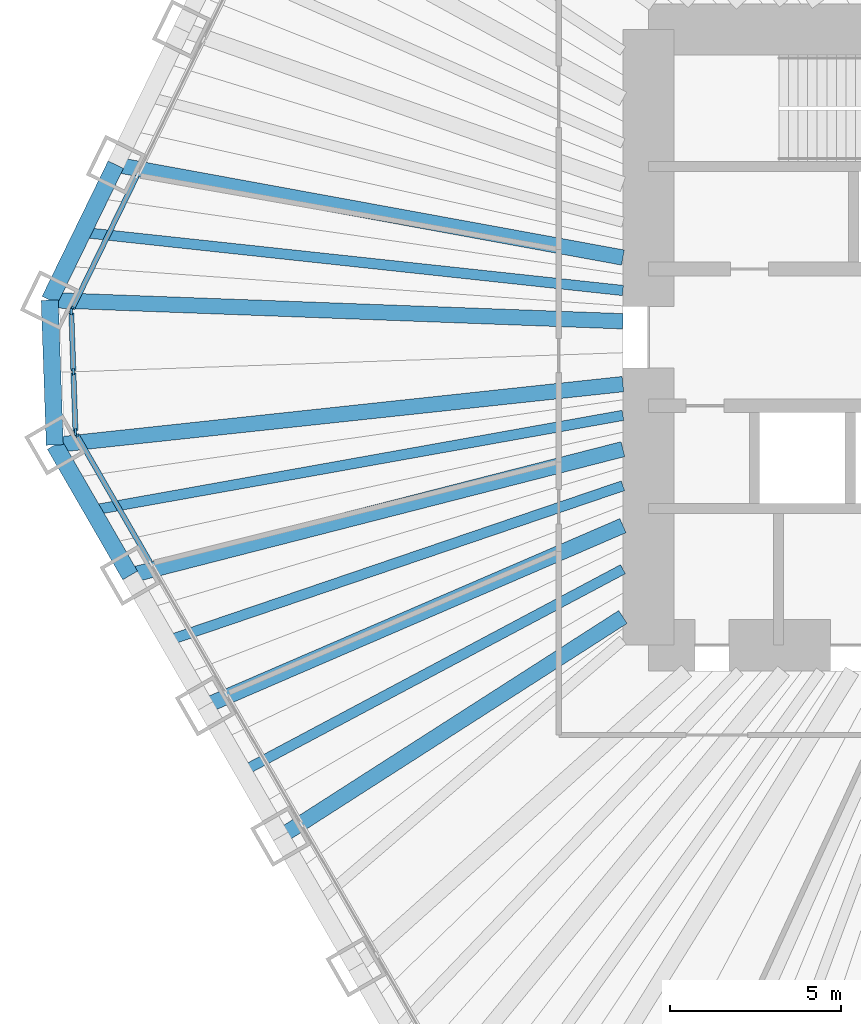
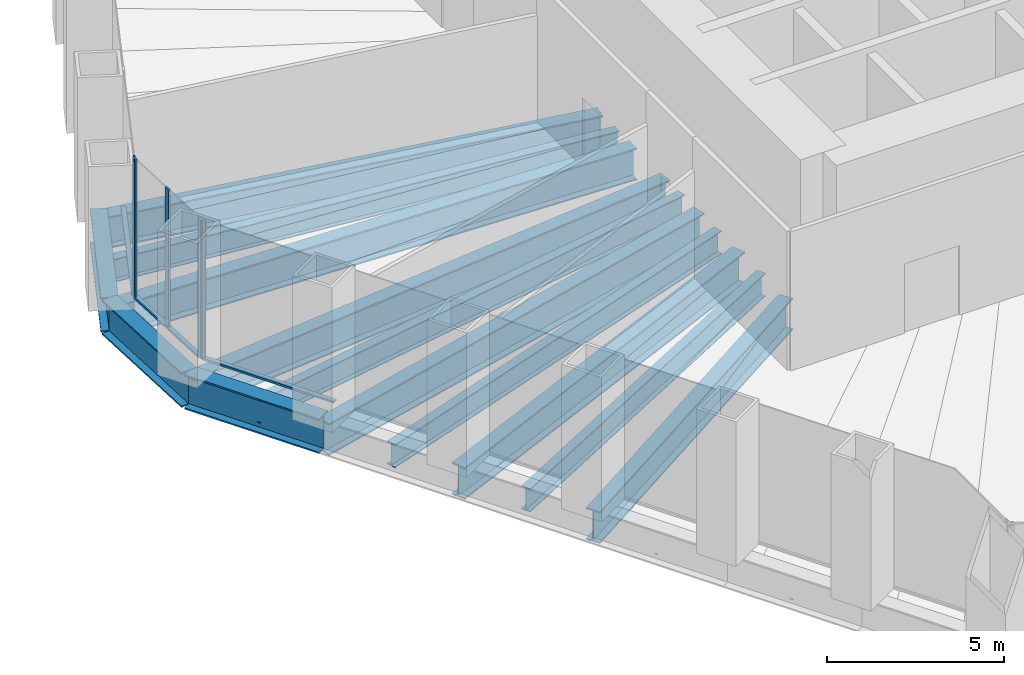
# One storey, part 3 of 13: 13 beams, 9 members, 3 elements without a shape of their own.
"""IFC4 building model written with IfcOpenShell, lengths in metres."""

import ifcopenshell
import ifcopenshell.guid

model = None  # the IFC model being written
_history = None  # IfcOwnerHistory: only IFC2X3 demands one
_inside = {}  # id of a spatial element -> (the spatial element, [elements in it])
_under = {}  # id of a project, library or spatial element -> (it, [spatial elements below it])
_declared = {}  # id of a project -> (the project, [libraries it declares])
_typed = {}  # id of a type object -> (the type object, [elements of that type])
_made_of = {}  # id of a material, layer set ... -> (it, [elements and type objects made of it])


def new_model(schema):
    """Start an empty IFC model of exactly this schema.

    Asked for "IFC4X3", IfcOpenShell would pick the latest addendum, in which some entities
    have other attributes; the version numbers below select the first issue.
    IFC2X3 requires an IfcOwnerHistory on every rooted entity: one is made here for all.
    """
    global model, _history
    if schema == "IFC4X3":
        model = ifcopenshell.file(schema_version=(4, 3, 0, 0))
    else:
        model = ifcopenshell.file(schema=schema)
    _inside.clear()
    _under.clear()
    _declared.clear()
    _typed.clear()
    _made_of.clear()
    _history = None
    if model.schema == "IFC2X3":
        org = make("IfcOrganization", Name="unknown")
        user = make(
            "IfcPersonAndOrganization",
            ThePerson=make("IfcPerson", FamilyName="unknown"),
            TheOrganization=org,
        )
        app = make(
            "IfcApplication",
            ApplicationDeveloper=org,
            Version="unknown",
            ApplicationFullName="unknown",
            ApplicationIdentifier="unknown",
        )
        _history = make(
            "IfcOwnerHistory",
            OwningUser=user,
            OwningApplication=app,
            ChangeAction="ADDED",
            CreationDate=0,
        )
    return model


def make(cls, **values):
    """One entity of the class cls with the attributes given. An attribute that is None is left unset."""
    return model.create_entity(
        cls, **{name: value for name, value in values.items() if value is not None}
    )


def rooted(cls, **values):
    """An entity with a GlobalId (a new one), such as an element, a storey or a relation."""
    return make(cls, GlobalId=ifcopenshell.guid.new(), OwnerHistory=_history, **values)


def si_unit(unit_type, name, prefix=None):
    """IfcSIUnit, for example si_unit("LENGTHUNIT", "METRE", prefix="MILLI")."""
    return make("IfcSIUnit", UnitType=unit_type, Prefix=prefix, Name=name)


def assignment(units):
    """IfcUnitAssignment: the units of a project."""
    return None if units is None else make("IfcUnitAssignment", Units=units)


def point(xyz):
    """IfcCartesianPoint."""
    return None if xyz is None else make("IfcCartesianPoint", Coordinates=xyz)


def direction(xyz):
    """IfcDirection."""
    return None if xyz is None else make("IfcDirection", DirectionRatios=xyz)


def frame(location, z_axis=None, x_axis=None):
    """IfcAxis2Placement3D, a coordinate frame: its origin and axes. An axis left out is left unset."""
    return make(
        "IfcAxis2Placement3D",
        Location=point(location),
        Axis=direction(z_axis),
        RefDirection=direction(x_axis),
    )


def frame_2d(location, x_axis=None):
    """IfcAxis2Placement2D, a coordinate frame in the plane: its origin and x axis."""
    return make(
        "IfcAxis2Placement2D", Location=point(location), RefDirection=direction(x_axis)
    )


def origin():
    """The frame at (0, 0, 0) with its axes left unset."""
    return frame((0.0, 0.0, 0.0))


def origin_2d():
    """The frame at (0, 0) in the plane with its x axis left unset."""
    return frame_2d((0.0, 0.0))


def place(relative_to, where):
    """IfcLocalPlacement: puts the frame where relative to a parent placement (None: the world)."""
    return make(
        "IfcLocalPlacement", PlacementRelTo=relative_to, RelativePlacement=where
    )


def context(
    kind, dimensions, precision=None, world=None, true_north=None, identifier=None
):
    """IfcGeometricRepresentationContext, for example the 3D "Model" context."""
    return make(
        "IfcGeometricRepresentationContext",
        ContextIdentifier=identifier,
        ContextType=kind,
        CoordinateSpaceDimension=dimensions,
        Precision=precision,
        WorldCoordinateSystem=world,
        TrueNorth=true_north,
    )


def subcontext(parent, identifier, kind, view, scale=None):
    """IfcGeometricRepresentationSubContext, for example "Body" below "Model"."""
    return make(
        "IfcGeometricRepresentationSubContext",
        ContextIdentifier=identifier,
        ContextType=kind,
        ParentContext=parent,
        TargetScale=scale,
        TargetView=view,
    )


def project(units=None, contexts=None):
    """IfcProject with its units and contexts."""
    return rooted(
        "IfcProject",
        Name="project",
        RepresentationContexts=contexts,
        UnitsInContext=assignment(units),
    )


def spatial(cls, under=None, at=None, **own):
    """A site, building, storey or space (cls), placed at a placement, below another one or the project."""
    s = rooted(cls, ObjectPlacement=at, **own)
    if under is not None:
        _under.setdefault(under.id(), (under, []))[1].append(s)
    return s


def profile(cls, at=None, kind="AREA", **sizes):
    """A parametric profile (cls). Its sizes go by their IFC names, for example OverallWidth=200.0."""
    return make(cls, ProfileType=kind, Position=at, **sizes)


def rectangle(**sizes):
    """IfcRectangleProfileDef."""
    return profile("IfcRectangleProfileDef", **sizes)


def i_section(**sizes):
    """IfcIShapeProfileDef."""
    return profile("IfcIShapeProfileDef", **sizes)


def extrude(swept, where, along, depth):
    """IfcExtrudedAreaSolid: the profile swept, set in the frame where, extruded along a direction by depth."""
    return make(
        "IfcExtrudedAreaSolid",
        SweptArea=swept,
        Position=where,
        ExtrudedDirection=direction(along),
        Depth=depth,
    )


def shape(context_of_items, identifier, shape_type, items):
    """IfcShapeRepresentation: the items that make up one representation, for example the "Body"."""
    return make(
        "IfcShapeRepresentation",
        ContextOfItems=context_of_items,
        RepresentationIdentifier=identifier,
        RepresentationType=shape_type,
        Items=items,
    )


def material(Name=None, Category=None):
    """IfcMaterial."""
    return make("IfcMaterial", Name=Name, Category=Category)


def material_profile(
    of_material, cross_section, Name=None, Category=None, Priority=None
):
    """IfcMaterialProfile: a cross section and its material."""
    return make(
        "IfcMaterialProfile",
        Name=Name,
        Material=of_material,
        Profile=cross_section,
        Priority=Priority,
        Category=Category,
    )


def profile_set(profiles, Name=None, composite=None):
    """IfcMaterialProfileSet."""
    return make(
        "IfcMaterialProfileSet",
        Name=Name,
        MaterialProfiles=profiles,
        CompositeProfile=composite,
    )


def made_of(thing, what):
    """Note that an element or type object is made of a material, layer set ...; save() writes the relation."""
    if what is not None:
        _made_of.setdefault(what.id(), (what, []))[1].append(thing)
    return thing


def type_object(cls, material=None, **own):
    """A type object (cls), such as IfcWallType, which elements share."""
    return made_of(rooted(cls, **own), material)


def element(
    cls,
    number,
    at=None,
    inside=None,
    cuts=None,
    type_object=None,
    material=None,
    context=None,
    identifier="Body",
    shape_type=None,
    held_by="IfcProductDefinitionShape",
    body=None,
    shapes=None,
    **own,
):
    """One element of the class cls, such as IfcWall. Its Tag is "e" and its number.

    at: its placement. inside: the storey or other place that contains it. cuts: it is an
    opening in that element (IfcRelVoidsElement). A single representation is given by context,
    identifier, shape_type and body (its items); several are given by shapes. held_by: the class
    of the entity that holds the representations. save() writes the other relations.
    """
    e = rooted(cls, Tag="e%d" % number, ObjectPlacement=at, **own)
    if body is not None:
        shapes = [shape(context, identifier, shape_type, body)]
    if shapes is not None:
        e.Representation = make(held_by, Representations=shapes)
    if inside is not None:
        _inside.setdefault(inside.id(), (inside, []))[1].append(e)
    if cuts is not None:
        rooted(
            "IfcRelVoidsElement", RelatingBuildingElement=cuts, RelatedOpeningElement=e
        )
    if type_object is not None:
        _typed.setdefault(type_object.id(), (type_object, []))[1].append(e)
    return made_of(e, material)


def aggregate(whole, parts):
    """IfcRelAggregates: a whole, such as a stair, and the parts it consists of."""
    return rooted("IfcRelAggregates", RelatingObject=whole, RelatedObjects=parts)


def save(model, path):
    """Write the relations noted so far, then the file.

    IfcRelAggregates (storeys below a building ...), IfcRelContainedInSpatialStructure (elements
    in a storey), IfcRelDefinesByType, IfcRelAssociatesMaterial and IfcRelDeclares: one each for
    every whole, place, type object, material and project.
    """
    for whole, parts in _under.values():
        aggregate(whole, parts)
    for where, things in _inside.values():
        rooted(
            "IfcRelContainedInSpatialStructure",
            RelatedElements=things,
            RelatingStructure=where,
        )
    for kind, things in _typed.values():
        rooted("IfcRelDefinesByType", RelatedObjects=things, RelatingType=kind)
    for what, things in _made_of.values():
        rooted("IfcRelAssociatesMaterial", RelatedObjects=things, RelatingMaterial=what)
    for by, libraries in _declared.values():
        rooted("IfcRelDeclares", RelatingContext=by, RelatedDefinitions=libraries)
    model.write(path)


model = new_model("IFC4")

# Units and contexts
model_context = context("Model", 3, precision=1e-05, world=origin(), true_north=direction((0.0, 1.0)))
body_context = subcontext(model_context, "Body", "Model", "MODEL_VIEW")
ifc_project = project(units=[si_unit("LENGTHUNIT", "METRE"), si_unit("AREAUNIT", "SQUARE_METRE"), si_unit("VOLUMEUNIT", "CUBIC_METRE"), si_unit("PLANEANGLEUNIT", "RADIAN"), si_unit("MASSUNIT", "GRAM", prefix="KILO")], contexts=[model_context])

# Site, building, storey
site_placement = place(None, origin())
site = spatial("IfcSite", under=ifc_project, at=site_placement, CompositionType="ELEMENT")
building_placement = place(site_placement, origin())
building = spatial("IfcBuilding", under=site, at=building_placement, Name="Qingtian Harvest Tower", CompositionType="ELEMENT")
storey_placement = place(building_placement, frame((0.0, 0.0, 42.0)))
storey = spatial("IfcBuildingStorey", under=building, at=storey_placement, Name="L08", CompositionType="ELEMENT", Elevation=42.0)

# Beams
ifc_material_1 = material(Name="Steel SM570MC", Category="steel")
ifc_material_profile_1 = material_profile(ifc_material_1, i_section(OverallWidth=0.449951171875, OverallDepth=1.10009765625, WebThickness=0.02197265625, FlangeThickness=0.044921875, at=origin_2d()), Name="H1100x450x22x45")
ifc_profile_set_1 = profile_set([ifc_material_profile_1], Name="Steel SM570MC")
beam_type_1 = type_object("IfcBeamType", Name="Corner floor beam FB8 H1100x450x22x45", PredefinedType="BEAM", material=ifc_profile_set_1)
beam_1_placement = place(storey_placement, frame((-29.36083984375, -3.145751953125, -0.75), z_axis=(0.994308822197, 0.106536219669, 0.0), x_axis=(-0.106536219669, 0.994308822197, 0.0)))
element("IfcBeam", 1, at=beam_1_placement, inside=storey, type_object=beam_type_1, Name="Floor beam FB8 SW6", PredefinedType="BEAM", context=body_context, shape_type="SweptSolid", body=[
    extrude(i_section(OverallWidth=0.449951171875, OverallDepth=1.10009765625, WebThickness=0.02197265625, FlangeThickness=0.044921875, at=origin_2d()), origin(), (0.0, 0.0, 1.0), 16.705810546875),
])
beam_2_placement = place(storey_placement, frame((-29.5087890625, 1.08984375, -0.75), z_axis=(0.999318796571, -0.036904509488, 0.0), x_axis=(0.036904509488, 0.999318796571, 0.0)))
element("IfcBeam", 2, at=beam_2_placement, inside=storey, type_object=beam_type_1, Name="Floor beam FB8 NW0", PredefinedType="BEAM", context=body_context, shape_type="SweptSolid", body=[
    extrude(i_section(OverallWidth=0.449951171875, OverallDepth=1.10009765625, WebThickness=0.02197265625, FlangeThickness=0.044921875, at=origin_2d()), origin(), (0.0, 0.0, 1.0), 16.770263671875),
])
ifc_material_2 = material(Name="Steel SM570MC", Category="steel")
ifc_material_profile_2 = material_profile(ifc_material_2, i_section(OverallWidth=0.449951171875, OverallDepth=1.10009765625, WebThickness=0.02197265625, FlangeThickness=0.044921875, at=origin_2d()), Name="H1100x450x22x45")
ifc_profile_set_2 = profile_set([ifc_material_profile_2], Name="Steel SM570MC")
beam_type_2 = type_object("IfcBeamType", Name="Floor beam FB1 H1100x450x22x45", PredefinedType="BEAM", material=ifc_profile_set_2)
beam_3_placement = place(storey_placement, frame((-22.75390625, -14.589111328125, -0.75), z_axis=(0.841829353865, 0.539743771591, 0.0), x_axis=(-0.539743771591, 0.841829353865, 0.0)))
element("IfcBeam", 3, at=beam_3_placement, inside=storey, type_object=beam_type_2, Name="Floor beam FB1 SW3", PredefinedType="BEAM", context=body_context, shape_type="SweptSolid", body=[
    extrude(i_section(OverallWidth=0.449951171875, OverallDepth=1.10009765625, WebThickness=0.02197265625, FlangeThickness=0.044921875, at=origin_2d()), origin(), (0.0, 0.0, 1.0), 11.883544921875),
])
beam_4_placement = place(storey_placement, frame((-24.9560546875, -10.774658203125, -0.75), z_axis=(0.918083617325, 0.396386770213, 0.0), x_axis=(-0.396386770213, 0.918083617325, 0.0)))
element("IfcBeam", 4, at=beam_4_placement, inside=storey, type_object=beam_type_2, Name="Floor beam FB1 SW4", PredefinedType="BEAM", context=body_context, shape_type="SweptSolid", body=[
    extrude(i_section(OverallWidth=0.449951171875, OverallDepth=1.10009765625, WebThickness=0.02197265625, FlangeThickness=0.044921875, at=origin_2d()), origin(), (0.0, 0.0, 1.0), 13.295166015625),
])
beam_5_placement = place(storey_placement, frame((-27.158447265625, -6.960205078125, -0.75), z_axis=(0.968693729942, 0.248258851947, 0.0), x_axis=(-0.248258851947, 0.968693729942, 0.0)))
element("IfcBeam", 5, at=beam_5_placement, inside=storey, type_object=beam_type_2, Name="Floor beam FB1 SW5", PredefinedType="BEAM", context=body_context, shape_type="SweptSolid", body=[
    extrude(i_section(OverallWidth=0.449951171875, OverallDepth=1.10009765625, WebThickness=0.02197265625, FlangeThickness=0.044921875, at=origin_2d()), origin(), (0.0, 0.0, 1.0), 14.8740234375),
])
beam_6_placement = place(storey_placement, frame((-27.577880859375, 5.048828125, -0.75), z_axis=(0.98365177106, -0.180081074215, 0.0), x_axis=(0.180081074215, 0.98365177106, 0.0)))
element("IfcBeam", 6, at=beam_6_placement, inside=storey, type_object=beam_type_2, Name="Floor beam FB1 NW1", PredefinedType="BEAM", context=body_context, shape_type="SweptSolid", body=[
    extrude(i_section(OverallWidth=0.449951171875, OverallDepth=1.10009765625, WebThickness=0.02197265625, FlangeThickness=0.044921875, at=origin_2d()), origin(), (0.0, 0.0, 1.0), 15.07421875),
])
ifc_material_3 = material(Name="Steel SN490B", Category="steel")
ifc_material_profile_3 = material_profile(ifc_material_3, i_section(OverallWidth=0.300048828125, OverallDepth=0.800048828125, WebThickness=0.013916015625, FlangeThickness=0.02587890625, at=origin_2d()), Name="H800x300x14x26")
ifc_profile_set_3 = profile_set([ifc_material_profile_3], Name="Steel SN490B")
beam_type_3 = type_object("IfcBeamType", Name="Floor joist J1 H800x300x14x26", PredefinedType="JOIST", material=ifc_profile_set_3)
beam_7_placement = place(storey_placement, frame((-23.85498046875, -12.681884765625, -0.60009765625), z_axis=(0.882982474604, 0.469405953885, 0.0), x_axis=(-0.469405953885, 0.882982474604, 0.0)))
element("IfcBeam", 7, at=beam_7_placement, inside=storey, type_object=beam_type_3, Name="Floor joist J1 SW3", PredefinedType="JOIST", context=body_context, shape_type="SweptSolid", body=[
    extrude(i_section(OverallWidth=0.300048828125, OverallDepth=0.800048828125, WebThickness=0.013916015625, FlangeThickness=0.02587890625, at=origin_2d()), origin(), (0.0, 0.0, 1.0), 12.57666015625),
])
beam_8_placement = place(storey_placement, frame((-26.057373046875, -8.867431640625, -0.60009765625), z_axis=(0.946684735425, 0.322161468387, 0.0), x_axis=(-0.322161468387, 0.946684735425, 0.0)))
element("IfcBeam", 8, at=beam_8_placement, inside=storey, type_object=beam_type_3, Name="Floor joist J1 SW4", PredefinedType="JOIST", context=body_context, shape_type="SweptSolid", body=[
    extrude(i_section(OverallWidth=0.300048828125, OverallDepth=0.800048828125, WebThickness=0.013916015625, FlangeThickness=0.02587890625, at=origin_2d()), origin(), (0.0, 0.0, 1.0), 14.056884765625),
])
beam_9_placement = place(storey_placement, frame((-28.259521484375, -5.052978515625, -0.60009765625), z_axis=(0.984387614034, 0.176014275943, 0.0), x_axis=(-0.176014275943, 0.984387614034, 0.0)))
element("IfcBeam", 9, at=beam_9_placement, inside=storey, type_object=beam_type_3, Name="Floor joist J1 SW5", PredefinedType="JOIST", context=body_context, shape_type="SweptSolid", body=[
    extrude(i_section(OverallWidth=0.300048828125, OverallDepth=0.800048828125, WebThickness=0.013916015625, FlangeThickness=0.02587890625, at=origin_2d()), origin(), (0.0, 0.0, 1.0), 15.755615234375),
])
beam_10_placement = place(storey_placement, frame((-28.543212890625, 3.0693359375, -0.60009765625), z_axis=(0.994268320665, -0.106913546948, 0.0), x_axis=(0.106913546948, 0.994268320665, 0.0)))
element("IfcBeam", 10, at=beam_10_placement, inside=storey, type_object=beam_type_3, Name="Floor joist J1 NW0", PredefinedType="JOIST", context=body_context, shape_type="SweptSolid", body=[
    extrude(i_section(OverallWidth=0.300048828125, OverallDepth=0.800048828125, WebThickness=0.013916015625, FlangeThickness=0.02587890625, at=origin_2d()), origin(), (0.0, 0.0, 1.0), 15.88427734375),
])

# Curtain wall, member
ifc_material_4 = material(Name="Bronze-anodised aluminium curtain wall", Category="aluminium")
curtain_wall_type = type_object("IfcCurtainWallType", Name="Curtain wall CW2 farm reception", PredefinedType="USERDEFINED", material=ifc_material_4)
curtain_wall_1_placement = place(storey_placement, origin())
curtain_wall_1 = element("IfcCurtainWall", 11, at=curtain_wall_1_placement, inside=storey, type_object=curtain_wall_type, Name="Curtain wall CW2 L08 SW0-5", ObjectType="RECESSED CURTAIN WALL", PredefinedType="USERDEFINED")
ifc_material_5 = material(Name="Bronze-anodised aluminium mullion", Category="aluminium")
ifc_material_profile_4 = material_profile(ifc_material_5, rectangle(XDim=0.06494140625, YDim=0.199951171875, at=origin_2d()), Name="AL 65x200")
ifc_profile_set_4 = profile_set([ifc_material_profile_4], Name="Bronze-anodised aluminium mullion")
member_type_1 = type_object("IfcMemberType", Name="Mullion CWM 65x200", PredefinedType="MULLION", material=ifc_profile_set_4)
member_1_placement = place(storey_placement, frame((-28.73828125, -2.82373046875, 0.0), z_axis=(0.0, 0.0, 1.0), x_axis=(-0.866025403784, -0.5, 0.0)))
member_1 = element("IfcMember", 12, at=member_1_placement, type_object=member_type_1, Name="CW2 mullion 7", PredefinedType="MULLION", context=body_context, shape_type="SweptSolid", body=[
    extrude(rectangle(XDim=0.06494140625, YDim=0.199951171875, at=origin_2d()), origin(), (0.0, 0.0, 1.0), 4.800048828125),
])

# Curtain wall, members
curtain_wall_2_placement = place(storey_placement, origin())
curtain_wall_2 = element("IfcCurtainWall", 13, at=curtain_wall_2_placement, inside=storey, type_object=curtain_wall_type, Name="Curtain wall CW2 L08 SWC", ObjectType="RECESSED CURTAIN WALL", PredefinedType="USERDEFINED")
member_2_placement = place(storey_placement, frame((-28.755615234375, -2.76318359375, 0.0), z_axis=(0.0, 0.0, 1.0), x_axis=(-0.999390827019, -0.034899496703, 0.0)))
member_2 = element("IfcMember", 14, at=member_2_placement, type_object=member_type_1, Name="CW2 mullion 1", PredefinedType="MULLION", context=body_context, shape_type="SweptSolid", body=[
    extrude(rectangle(XDim=0.06494140625, YDim=0.199951171875, at=origin_2d()), origin(), (0.0, 0.0, 1.0), 4.800048828125),
])
member_3_placement = place(storey_placement, frame((-28.817138671875, -1.00634765625, 0.0), z_axis=(0.0, 0.0, 1.0), x_axis=(-0.999390827019, -0.034899496703, 0.0)))
member_3 = element("IfcMember", 15, at=member_3_placement, type_object=member_type_1, Name="CW2 mullion 2", PredefinedType="MULLION", context=body_context, shape_type="SweptSolid", body=[
    extrude(rectangle(XDim=0.06494140625, YDim=0.199951171875, at=origin_2d()), origin(), (0.0, 0.0, 1.0), 4.800048828125),
])
member_4_placement = place(storey_placement, frame((-28.87841796875, 0.75048828125, 0.0), z_axis=(0.0, 0.0, 1.0), x_axis=(-0.999390827019, -0.034899496703, 0.0)))
member_4 = element("IfcMember", 16, at=member_4_placement, type_object=member_type_1, Name="CW2 mullion 3", PredefinedType="MULLION", context=body_context, shape_type="SweptSolid", body=[
    extrude(rectangle(XDim=0.06494140625, YDim=0.199951171875, at=origin_2d()), origin(), (0.0, 0.0, 1.0), 4.800048828125),
])

# Curtain wall, member
curtain_wall_3_placement = place(storey_placement, origin())
curtain_wall_3 = element("IfcCurtainWall", 17, at=curtain_wall_3_placement, inside=storey, type_object=curtain_wall_type, Name="Curtain wall CW2 L08 NW0-5", ObjectType="RECESSED CURTAIN WALL", PredefinedType="USERDEFINED")
member_5_placement = place(storey_placement, frame((-28.865234375, 0.812255859375, 0.0), z_axis=(0.0, 0.0, 1.0), x_axis=(-0.898794046299, 0.438371146789, 0.0)))
member_5 = element("IfcMember", 18, at=member_5_placement, type_object=member_type_1, Name="CW2 mullion 1", PredefinedType="MULLION", context=body_context, shape_type="SweptSolid", body=[
    extrude(rectangle(XDim=0.06494140625, YDim=0.199951171875, at=origin_2d()), origin(), (0.0, 0.0, 1.0), 4.800048828125),
])

# Beams
ifc_material_6 = material(Name="Steel SM570MC", Category="steel")
ifc_material_profile_5 = material_profile(ifc_material_6, i_section(OverallWidth=0.5, OverallDepth=1.199951171875, WebThickness=0.02490234375, FlangeThickness=0.050048828125, at=origin_2d()), Name="H1200x500x25x50")
ifc_profile_set_5 = profile_set([ifc_material_profile_5], Name="Steel SM570MC")
beam_type_4 = type_object("IfcBeamType", Name="Spandrel beam SB1 H1200x500x25x50", PredefinedType="SPANDREL", material=ifc_profile_set_5)
beam_11_placement = place(storey_placement, frame((-27.158447265625, -6.960205078125, -0.60009765625), z_axis=(-0.50001992892, 0.866013897511, 0.0), x_axis=(-0.866013897511, -0.50001992892, 0.0)))
element("IfcBeam", 19, at=beam_11_placement, inside=storey, type_object=beam_type_4, Name="Spandrel SB1 SW5", PredefinedType="SPANDREL", context=body_context, shape_type="SweptSolid", body=[
    extrude(i_section(OverallWidth=0.5, OverallDepth=1.199951171875, WebThickness=0.02490234375, FlangeThickness=0.050048828125, at=origin_2d()), origin(), (0.0, 0.0, 1.0), 4.404541015625),
])
beam_12_placement = place(storey_placement, frame((-29.36083984375, -3.145751953125, -0.60009765625), z_axis=(-0.034908677553, 0.999390506375, 0.0), x_axis=(-0.999390506375, -0.034908677553, 0.0)))
element("IfcBeam", 20, at=beam_12_placement, inside=storey, type_object=beam_type_4, Name="Spandrel SB1 SWC", PredefinedType="SPANDREL", context=body_context, shape_type="SweptSolid", body=[
    extrude(i_section(OverallWidth=0.5, OverallDepth=1.199951171875, WebThickness=0.02490234375, FlangeThickness=0.050048828125, at=origin_2d()), origin(), (0.0, 0.0, 1.0), 4.23828125),
])
beam_13_placement = place(storey_placement, frame((-29.5087890625, 1.08984375, -0.60009765625), z_axis=(0.438367938366, 0.898795611145, 0.0), x_axis=(-0.898795611145, 0.438367938366, 0.0)))
element("IfcBeam", 21, at=beam_13_placement, inside=storey, type_object=beam_type_4, Name="Spandrel SB1 NW0", PredefinedType="SPANDREL", context=body_context, shape_type="SweptSolid", body=[
    extrude(i_section(OverallWidth=0.5, OverallDepth=1.199951171875, WebThickness=0.02490234375, FlangeThickness=0.050048828125, at=origin_2d()), origin(), (0.0, 0.0, 1.0), 4.40478515625),
])

# Member
ifc_material_7 = material(Name="Bronze-anodised aluminium transom", Category="aluminium")
ifc_material_profile_6 = material_profile(ifc_material_7, rectangle(XDim=0.14990234375, YDim=0.06494140625, at=origin_2d()), Name="AL 65x150")
ifc_profile_set_6 = profile_set([ifc_material_profile_6], Name="Bronze-anodised aluminium transom")
member_type_2 = type_object("IfcMemberType", Name="Transom CWT 65x150", PredefinedType="USERDEFINED", material=ifc_profile_set_6)
member_6_placement = place(storey_placement, frame((-26.568603515625, -6.58203125, 0.032470703125), z_axis=(-0.499967798808, 0.866043994353, 0.0), x_axis=(-0.866043994353, -0.499967798808, 0.0)))
member_6 = element("IfcMember", 22, at=member_6_placement, type_object=member_type_2, Name="CW2 transom 6.1", ObjectType="TRANSOM", PredefinedType="USERDEFINED", context=body_context, shape_type="SweptSolid", body=[
    extrude(rectangle(XDim=0.14990234375, YDim=0.06494140625, at=origin_2d()), origin(), (0.0, 0.0, 1.0), 4.306884765625),
])

aggregate(curtain_wall_1, [member_1, member_6])

member_7_placement = place(storey_placement, frame((-28.7568359375, -2.730712890625, 0.032470703125), z_axis=(-0.034899362377, 0.99939083171, 0.0), x_axis=(-0.99939083171, -0.034899362377, 0.0)))
member_7 = element("IfcMember", 23, at=member_7_placement, type_object=member_type_2, Name="CW2 transom 1.1", ObjectType="TRANSOM", PredefinedType="USERDEFINED", context=body_context, shape_type="SweptSolid", body=[
    extrude(rectangle(XDim=0.14990234375, YDim=0.06494140625, at=origin_2d()), origin(), (0.0, 0.0, 1.0), 1.69287109375),
])

member_8_placement = place(storey_placement, frame((-28.818115234375, -0.973876953125, 0.032470703125), z_axis=(-0.034899362377, 0.99939083171, 0.0), x_axis=(-0.99939083171, -0.034899362377, 0.0)))
member_8 = element("IfcMember", 24, at=member_8_placement, type_object=member_type_2, Name="CW2 transom 2.1", ObjectType="TRANSOM", PredefinedType="USERDEFINED", context=body_context, shape_type="SweptSolid", body=[
    extrude(rectangle(XDim=0.14990234375, YDim=0.06494140625, at=origin_2d()), origin(), (0.0, 0.0, 1.0), 1.69287109375),
])

aggregate(curtain_wall_2, [member_2, member_3, member_4, member_7, member_8])

member_9_placement = place(storey_placement, frame((-28.85107421875, 0.841552734375, 0.032470703125), z_axis=(0.438394595167, 0.898782609383, 0.0), x_axis=(-0.898782609383, 0.438394595167, 0.0)))
member_9 = element("IfcMember", 25, at=member_9_placement, type_object=member_type_2, Name="CW2 transom 1.1", ObjectType="TRANSOM", PredefinedType="USERDEFINED", context=body_context, shape_type="SweptSolid", body=[
    extrude(rectangle(XDim=0.14990234375, YDim=0.06494140625, at=origin_2d()), origin(), (0.0, 0.0, 1.0), 4.30712890625),
])

aggregate(curtain_wall_3, [member_5, member_9])

save(model, "model.ifc")
